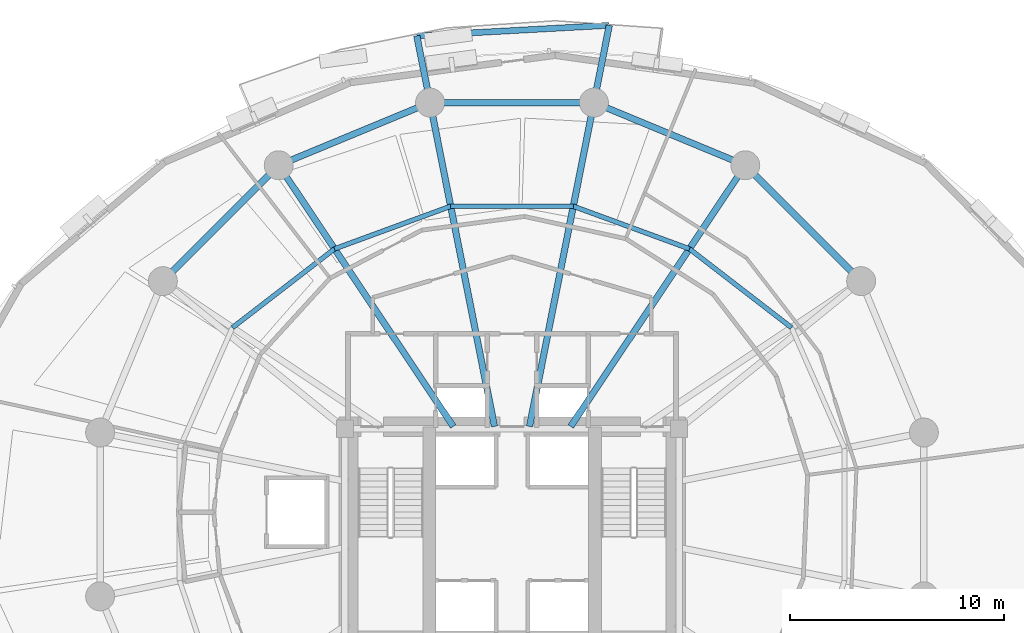
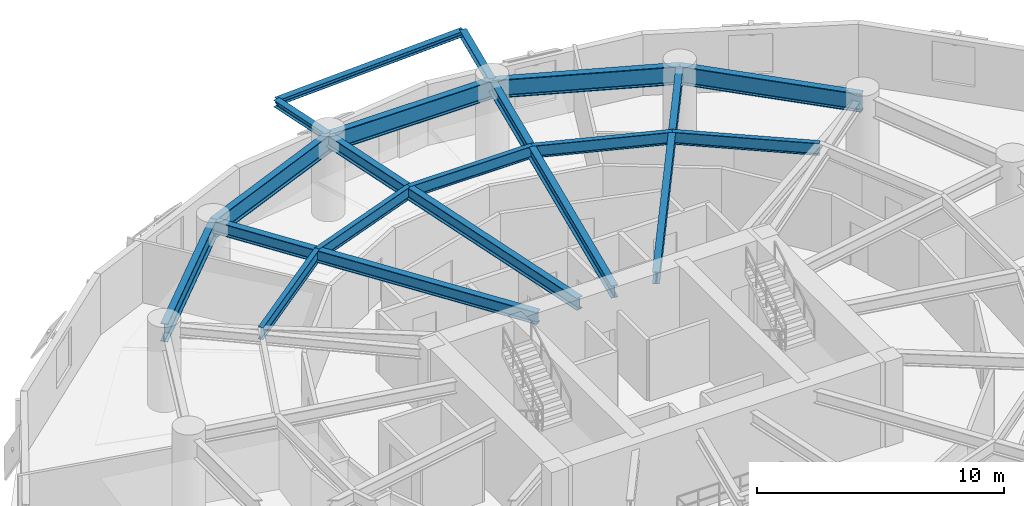
# One storey, part 9 of 17: 17 beams.
"""IFC4 building model written with IfcOpenShell, lengths in metres."""

from ifc_helpers import new_model, si_unit, direction, frame, origin, origin_2d, place, context, subcontext, project, spatial, i_section, extrude, material, material_profile, profile_set, type_object, element, save


model = new_model("IFC4")

# Units and contexts
model_context = context("Model", 3, precision=1e-05, world=origin(), true_north=direction((0.0, 1.0)))
body_context = subcontext(model_context, "Body", "Model", "MODEL_VIEW")
ifc_project = project(units=[si_unit("LENGTHUNIT", "METRE"), si_unit("AREAUNIT", "SQUARE_METRE"), si_unit("VOLUMEUNIT", "CUBIC_METRE"), si_unit("PLANEANGLEUNIT", "RADIAN"), si_unit("MASSUNIT", "GRAM", prefix="KILO"), si_unit("THERMODYNAMICTEMPERATUREUNIT", "KELVIN"), si_unit("POWERUNIT", "WATT")], contexts=[model_context])

# Site, building, storey
site_placement = place(None, origin())
site = spatial("IfcSite", under=ifc_project, at=site_placement, CompositionType="ELEMENT")
building_placement = place(site_placement, origin())
building = spatial("IfcBuilding", under=site, at=building_placement, Name="Ocrelia Relay Tower", CompositionType="ELEMENT")
storey_placement = place(building_placement, frame((0.0, 0.0, 63.60009765625)))
storey = spatial("IfcBuildingStorey", under=building, at=storey_placement, Name="L14", CompositionType="ELEMENT", Elevation=63.60009765625)

# Beams
ifc_material = material(Name="Steel S355", Category="steel")
ifc_material_profile_1 = material_profile(ifc_material, i_section(OverallWidth=0.280029296875, OverallDepth=0.27001953125, WebThickness=0.008056640625, FlangeThickness=0.012939453125, FilletRadius=0.02392578125, at=origin_2d()), Name="HEA 280")
ifc_profile_set_1 = profile_set([ifc_material_profile_1], Name="Steel S355")
beam_type_1 = type_object("IfcBeamType", Name="BM-HEA280", PredefinedType="BEAM", material=ifc_profile_set_1)
beam_1_placement = place(storey_placement, frame((38.541015625, 48.8291015625, 3.784912109375), z_axis=(-0.998513238664, -0.054509744205, 0.0), x_axis=(0.054509744205, -0.998513238664, 0.0)))
element("IfcBeam", 1, at=beam_1_placement, inside=storey, type_object=beam_type_1, Name="L15 Balcony Edge Trimmer Beam B1", PredefinedType="BEAM", context=body_context, shape_type="SweptSolid", body=[
    extrude(i_section(OverallWidth=0.280029296875, OverallDepth=0.27001953125, WebThickness=0.008056640625, FlangeThickness=0.012939453125, FilletRadius=0.02392578125, at=origin_2d()), origin(), (0.0, 0.0, 1.0), 8.998046875),
])
ifc_material_profile_2 = material_profile(ifc_material, i_section(OverallWidth=0.300048828125, OverallDepth=0.330078125, WebThickness=0.009521484375, FlangeThickness=0.0166015625, FilletRadius=0.027099609375, at=origin_2d()), Name="HEA 340")
ifc_profile_set_2 = profile_set([ifc_material_profile_2], Name="Steel S355")
beam_type_2 = type_object("IfcBeamType", Name="BM-HEA340", PredefinedType="BEAM", material=ifc_profile_set_2)
beam_2_placement = place(storey_placement, frame((37.82373046875, 45.223388671875, 3.7548828125), z_axis=(0.195107138321, 0.980781935282, 0.0), x_axis=(-0.980781935282, 0.195107138321, 0.0)))
element("IfcBeam", 2, at=beam_2_placement, inside=storey, type_object=beam_type_2, Name="L15 Balcony Cantilever Beam B1-1", PredefinedType="BEAM", context=body_context, shape_type="SweptSolid", body=[
    extrude(i_section(OverallWidth=0.300048828125, OverallDepth=0.330078125, WebThickness=0.009521484375, FlangeThickness=0.0166015625, FilletRadius=0.027099609375, at=origin_2d()), origin(), (0.0, 0.0, 1.0), 3.67626953125),
])
beam_3_placement = place(storey_placement, frame((30.17626953125, 45.223388671875, 3.7548828125), z_axis=(-0.195155253026, 0.980772362588, 0.0), x_axis=(-0.980772362588, -0.195155253026, 0.0)))
element("IfcBeam", 3, at=beam_3_placement, inside=storey, type_object=beam_type_2, Name="L15 Balcony Cantilever Beam B1-2", PredefinedType="BEAM", context=body_context, shape_type="SweptSolid", body=[
    extrude(i_section(OverallWidth=0.300048828125, OverallDepth=0.330078125, WebThickness=0.009521484375, FlangeThickness=0.0166015625, FilletRadius=0.027099609375, at=origin_2d()), origin(), (0.0, 0.0, 1.0), 3.17626953125),
])
ifc_material_profile_3 = material_profile(ifc_material, i_section(OverallWidth=0.300048828125, OverallDepth=0.60009765625, WebThickness=0.015380859375, FlangeThickness=0.030029296875, FilletRadius=0.027099609375, at=origin_2d()), Name="HEB 600")
ifc_profile_set_3 = profile_set([ifc_material_profile_3], Name="Steel S355")
beam_type_3 = type_object("IfcBeamType", Name="BM-HEB600", PredefinedType="BEAM", material=ifc_profile_set_3)
beam_4_placement = place(storey_placement, frame((44.88916015625, 42.296875, 3.619873046875), z_axis=(-0.555564422059, -0.831473495033, 0.0), x_axis=(0.831473495033, -0.555564422059, 0.0)))
element("IfcBeam", 4, at=beam_4_placement, inside=storey, type_object=beam_type_3, Name="L14 Radial Floor Girder R03", PredefinedType="BEAM", context=body_context, shape_type="SweptSolid", body=[
    extrude(i_section(OverallWidth=0.300048828125, OverallDepth=0.60009765625, WebThickness=0.015380859375, FlangeThickness=0.030029296875, FilletRadius=0.027099609375, at=origin_2d()), origin(), (0.0, 0.0, 1.0), 14.6630859375),
])
for number, where, z_axis, x_axis, name in (
    (5, (37.82373046875, 45.223388671875, 3.619873046875), (-0.19509567956, -0.980784214706, 0.0), (0.980784214706, -0.19509567956, 0.0), "L14 Radial Floor Girder R04"),
    (6, (30.17626953125, 45.223388671875, 3.619873046875), (0.19509567956, -0.980784214706, 0.0), (0.980784214706, 0.19509567956, 0.0), "L14 Radial Floor Girder R05"),
):
    element("IfcBeam", number, at=place(storey_placement, frame(where, z_axis=z_axis, x_axis=x_axis)), inside=storey, type_object=beam_type_3, Name=name, PredefinedType="BEAM", context=body_context, shape_type="SweptSolid", body=[
        extrude(i_section(OverallWidth=0.300048828125, OverallDepth=0.60009765625, WebThickness=0.015380859375, FlangeThickness=0.030029296875, FilletRadius=0.027099609375, at=origin_2d()), origin(), (0.0, 0.0, 1.0), 15.41455078125),
    ])
beam_5_placement = place(storey_placement, frame((23.11083984375, 42.296875, 3.619873046875), z_axis=(0.555564422059, -0.831473495033, 0.0), x_axis=(0.831473495033, 0.555564422059, 0.0)))
element("IfcBeam", 7, at=beam_5_placement, inside=storey, type_object=beam_type_3, Name="L14 Radial Floor Girder R06", PredefinedType="BEAM", context=body_context, shape_type="SweptSolid", body=[
    extrude(i_section(OverallWidth=0.300048828125, OverallDepth=0.60009765625, WebThickness=0.015380859375, FlangeThickness=0.030029296875, FilletRadius=0.027099609375, at=origin_2d()), origin(), (0.0, 0.0, 1.0), 14.6630859375),
])
ifc_material_profile_4 = material_profile(ifc_material, i_section(OverallWidth=0.300048828125, OverallDepth=0.89990234375, WebThickness=0.0185546875, FlangeThickness=0.034912109375, FilletRadius=0.030029296875, at=origin_2d()), Name="HEB 900")
ifc_profile_set_4 = profile_set([ifc_material_profile_4], Name="Steel S355")
beam_type_4 = type_object("IfcBeamType", Name="BM-HEB900", PredefinedType="BEAM", material=ifc_profile_set_4)
beam_6_placement = place(storey_placement, frame((50.296875, 36.88916015625, 3.469970703125), z_axis=(-0.707106781187, 0.707106781187, 0.0), x_axis=(-0.707106781187, -0.707106781187, 0.0)))
element("IfcBeam", 8, at=beam_6_placement, inside=storey, type_object=beam_type_4, Name="L14 Perimeter Spandrel Beam S02", PredefinedType="BEAM", context=body_context, shape_type="SweptSolid", body=[
    extrude(i_section(OverallWidth=0.300048828125, OverallDepth=0.89990234375, WebThickness=0.0185546875, FlangeThickness=0.034912109375, FilletRadius=0.030029296875, at=origin_2d()), origin(), (0.0, 0.0, 1.0), 7.647705078125),
])
for number, where, z_axis, x_axis, name in (
    (9, (44.88916015625, 42.296875, 3.469970703125), (-0.923883375589, 0.382674154222, 0.0), (-0.382674154222, -0.923883375589, 0.0), "L14 Perimeter Spandrel Beam S03"),
    (10, (37.82373046875, 45.223388671875, 3.469970703125), (-1.0, 0.0, 0.0), (0.0, -1.0, 0.0), "L14 Perimeter Spandrel Beam S04"),
    (11, (30.17626953125, 45.223388671875, 3.469970703125), (-0.923883375589, -0.382674154222, 0.0), (0.382674154222, -0.923883375589, 0.0), "L14 Perimeter Spandrel Beam S05"),
):
    element("IfcBeam", number, at=place(storey_placement, frame(where, z_axis=z_axis, x_axis=x_axis)), inside=storey, type_object=beam_type_4, Name=name, PredefinedType="BEAM", context=body_context, shape_type="SweptSolid", body=[
        extrude(i_section(OverallWidth=0.300048828125, OverallDepth=0.89990234375, WebThickness=0.0185546875, FlangeThickness=0.034912109375, FilletRadius=0.030029296875, at=origin_2d()), origin(), (0.0, 0.0, 1.0), 7.6474609375),
    ])
beam_7_placement = place(storey_placement, frame((23.11083984375, 42.296875, 3.469970703125), z_axis=(-0.707106781187, -0.707106781187, 0.0), x_axis=(0.707106781187, -0.707106781187, 0.0)))
element("IfcBeam", 12, at=beam_7_placement, inside=storey, type_object=beam_type_4, Name="L14 Perimeter Spandrel Beam S06", PredefinedType="BEAM", context=body_context, shape_type="SweptSolid", body=[
    extrude(i_section(OverallWidth=0.300048828125, OverallDepth=0.89990234375, WebThickness=0.0185546875, FlangeThickness=0.034912109375, FilletRadius=0.030029296875, at=origin_2d()), origin(), (0.0, 0.0, 1.0), 7.647705078125),
])
ifc_material_profile_5 = material_profile(ifc_material, i_section(OverallWidth=0.219970703125, OverallDepth=0.60009765625, WebThickness=0.011962890625, FlangeThickness=0.01904296875, FilletRadius=0.02392578125, at=origin_2d()), Name="IPE 600")
ifc_profile_set_5 = profile_set([ifc_material_profile_5], Name="Steel S355")
beam_type_5 = type_object("IfcBeamType", Name="BM-IPE600", PredefinedType="JOIST", material=ifc_profile_set_5)
beam_8_placement = place(storey_placement, frame((47.0478515625, 34.71826171875, 3.619873046875), z_axis=(-0.791694256239, 0.610917510502, 0.0), x_axis=(-0.610917510502, -0.791694256239, 0.0)))
element("IfcBeam", 13, at=beam_8_placement, inside=storey, type_object=beam_type_5, Name="L14 Secondary Floor Joist J02", PredefinedType="JOIST", context=body_context, shape_type="SweptSolid", body=[
    extrude(i_section(OverallWidth=0.219970703125, OverallDepth=0.60009765625, WebThickness=0.011962890625, FlangeThickness=0.01904296875, FilletRadius=0.02392578125, at=origin_2d()), origin(), (0.0, 0.0, 1.0), 6.019287109375),
])
beam_9_placement = place(storey_placement, frame((42.282470703125, 38.3955078125, 3.619873046875), z_axis=(-0.938745977034, 0.344609910773, 0.0), x_axis=(-0.344609910773, -0.938745977034, 0.0)))
element("IfcBeam", 14, at=beam_9_placement, inside=storey, type_object=beam_type_5, Name="L14 Secondary Floor Joist J03", PredefinedType="JOIST", context=body_context, shape_type="SweptSolid", body=[
    extrude(i_section(OverallWidth=0.219970703125, OverallDepth=0.60009765625, WebThickness=0.011962890625, FlangeThickness=0.01904296875, FilletRadius=0.02392578125, at=origin_2d()), origin(), (0.0, 0.0, 1.0), 5.774658203125),
])
beam_10_placement = place(storey_placement, frame((36.861572265625, 40.385498046875, 3.619873046875), z_axis=(-1.0, 0.0, 0.0), x_axis=(0.0, -1.0, 0.0)))
element("IfcBeam", 15, at=beam_10_placement, inside=storey, type_object=beam_type_5, Name="L14 Secondary Floor Joist J04", PredefinedType="JOIST", context=body_context, shape_type="SweptSolid", body=[
    extrude(i_section(OverallWidth=0.219970703125, OverallDepth=0.60009765625, WebThickness=0.011962890625, FlangeThickness=0.01904296875, FilletRadius=0.02392578125, at=origin_2d()), origin(), (0.0, 0.0, 1.0), 5.72314453125),
])
beam_11_placement = place(storey_placement, frame((31.138427734375, 40.385498046875, 3.619873046875), z_axis=(-0.938745977034, -0.344609910773, 0.0), x_axis=(0.344609910773, -0.938745977034, 0.0)))
element("IfcBeam", 16, at=beam_11_placement, inside=storey, type_object=beam_type_5, Name="L14 Secondary Floor Joist J05", PredefinedType="JOIST", context=body_context, shape_type="SweptSolid", body=[
    extrude(i_section(OverallWidth=0.219970703125, OverallDepth=0.60009765625, WebThickness=0.011962890625, FlangeThickness=0.01904296875, FilletRadius=0.02392578125, at=origin_2d()), origin(), (0.0, 0.0, 1.0), 5.774658203125),
])
beam_12_placement = place(storey_placement, frame((25.717529296875, 38.3955078125, 3.619873046875), z_axis=(-0.791694256239, -0.610917510502, 0.0), x_axis=(0.610917510502, -0.791694256239, 0.0)))
element("IfcBeam", 17, at=beam_12_placement, inside=storey, type_object=beam_type_5, Name="L14 Secondary Floor Joist J06", PredefinedType="JOIST", context=body_context, shape_type="SweptSolid", body=[
    extrude(i_section(OverallWidth=0.219970703125, OverallDepth=0.60009765625, WebThickness=0.011962890625, FlangeThickness=0.01904296875, FilletRadius=0.02392578125, at=origin_2d()), origin(), (0.0, 0.0, 1.0), 6.019287109375),
])

save(model, "model.ifc")
